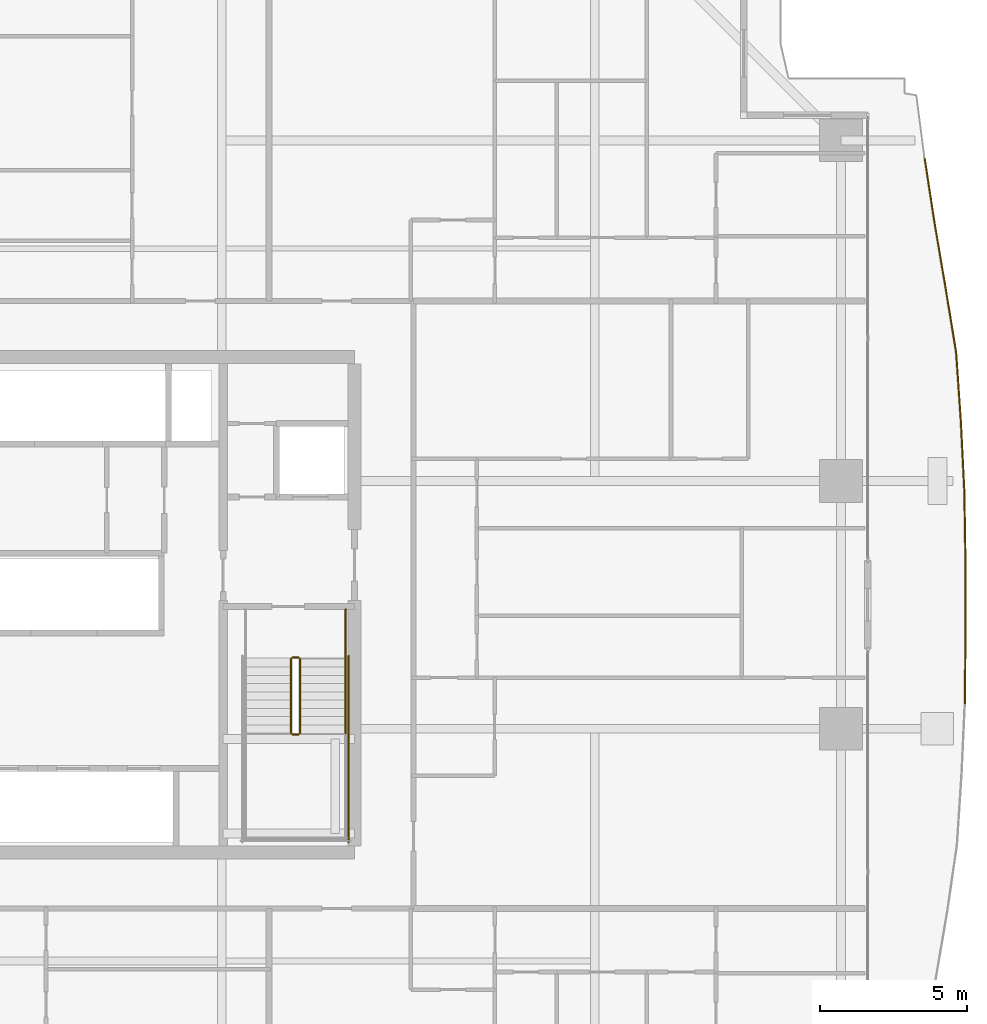
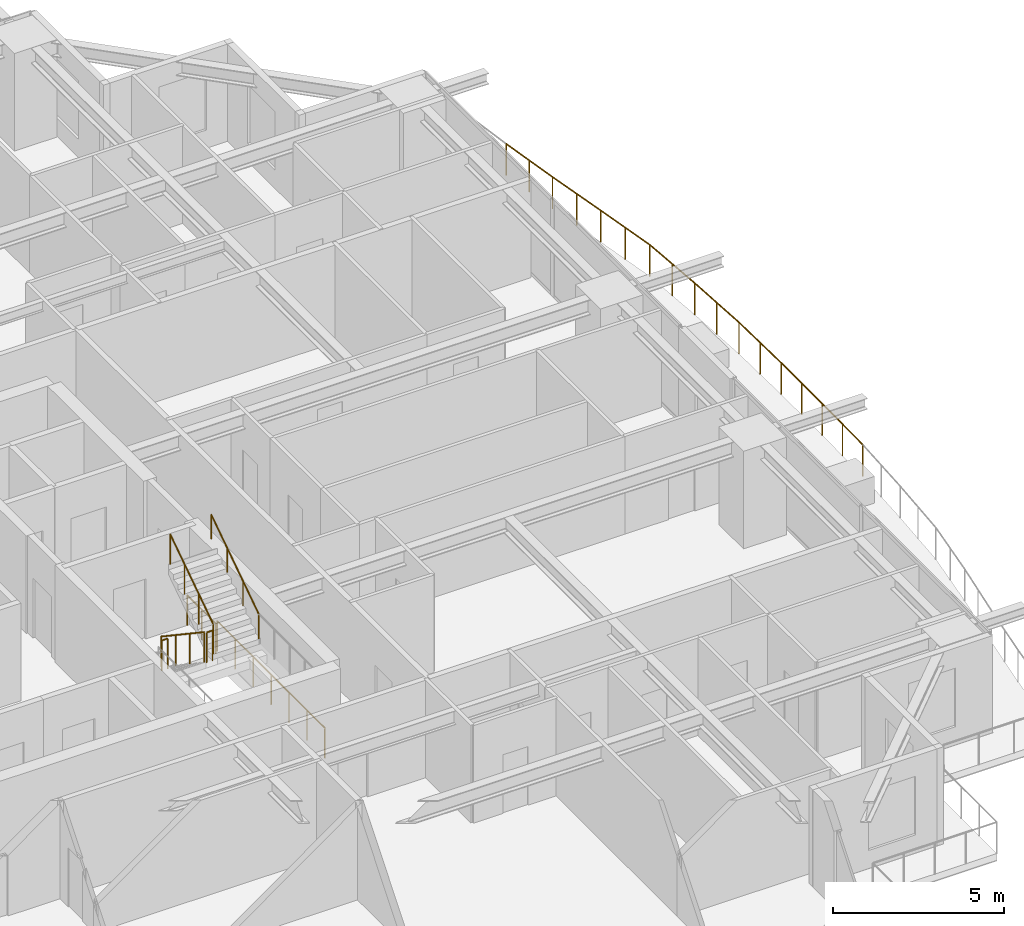
# One storey, part 36 of 37: 8 railings.
"""IFC4 building model written with IfcOpenShell, lengths in metres."""

from ifc_helpers import new_model, si_unit, direction, frame, origin, origin_2d, place, context, subcontext, project, spatial, circle, extrude, material, type_object, element, save


model = new_model("IFC4")

# Units and contexts
model_context = context("Model", 3, precision=1e-05, world=origin(), true_north=direction((0.0, 1.0)))
body_context = subcontext(model_context, "Body", "Model", "MODEL_VIEW")
ifc_project = project(units=[si_unit("LENGTHUNIT", "METRE"), si_unit("AREAUNIT", "SQUARE_METRE"), si_unit("VOLUMEUNIT", "CUBIC_METRE"), si_unit("PLANEANGLEUNIT", "RADIAN"), si_unit("MASSUNIT", "GRAM", prefix="KILO")], contexts=[model_context])

# Site, building, storey
site_placement = place(None, origin())
site = spatial("IfcSite", under=ifc_project, at=site_placement, CompositionType="ELEMENT")
building_placement = place(site_placement, origin())
building = spatial("IfcBuilding", under=site, at=building_placement, Name="Serunith Strait Residences", CompositionType="ELEMENT")
storey_placement = place(building_placement, frame((0.0, 0.0, 26.699951171875)))
storey = spatial("IfcBuildingStorey", under=building, at=storey_placement, Name="L05", CompositionType="ELEMENT", Elevation=26.699951171875)

# Railings
ifc_material_1 = material(Name="Stainless Steel & Laminated Glass Balustrade", Category="steel")
railing_type_1 = type_object("IfcRailingType", Name="RLG-BALC-1150", PredefinedType="BALUSTRADE", material=ifc_material_1)
railing_1_placement = place(storey_placement, frame((60.734375, 40.360107421875, -0.050048828125)))
element("IfcRailing", 1, at=railing_1_placement, inside=storey, type_object=railing_type_1, Name="L05 Swirling Balcony Perimeter Balustrade 5", PredefinedType="BALUSTRADE", context=body_context, shape_type="SweptSolid", body=[
    extrude(circle(Radius=0.02392578125, at=origin_2d()), frame((0.000244140625, -0.001953125, 1.1259765625), z_axis=(0.151129021549, -0.988514045851, 0.0), x_axis=(0.988514045851, 0.151129021549, 0.0)), (0.0, 0.0, 1.0), 2.17041015625),
    extrude(circle(Radius=0.02392578125, at=origin_2d()), frame((0.328857421875, -2.1513671875, 1.1259765625), z_axis=(0.166718403381, -0.986004550686, 0.0), x_axis=(0.986004550686, 0.166718403381, 0.0)), (0.0, 0.0, 1.0), 2.214599609375),
    extrude(circle(Radius=0.02392578125, at=origin_2d()), frame((0.69873046875, -4.3388671875, 1.1259765625), z_axis=(0.162069347028, -0.98677937086, 0.0), x_axis=(0.98677937086, 0.162069347028, 0.0)), (0.0, 0.0, 1.0), 2.273681640625),
    extrude(circle(Radius=0.02392578125, at=origin_2d()), frame((1.06787109375, -6.58642578125, 1.1259765625), z_axis=(0.068368362206, -0.997660146066, 0.0), x_axis=(0.997660146066, 0.068368362206, 0.0)), (0.0, 0.0, 1.0), 2.352783203125),
    extrude(circle(Radius=0.02392578125, at=origin_2d()), frame((1.228759765625, -8.937744140625, 1.1259765625), z_axis=(0.050141765794, -0.998742110519, 0.0), x_axis=(0.998742110519, 0.050141765794, 0.0)), (0.0, 0.0, 1.0), 2.3818359375),
    extrude(circle(Radius=0.02392578125, at=origin_2d()), frame((1.348388671875, -11.320556640625, 1.1259765625), z_axis=(0.015531121409, -0.99987938486, 0.0), x_axis=(0.99987938486, 0.015531121409, 0.0)), (0.0, 0.0, 1.0), 2.401123046875),
    extrude(circle(Radius=0.02392578125, at=origin_2d()), frame((1.3857421875, -13.725341796875, 1.1259765625), z_axis=(0.0, -1.0, 0.0), x_axis=(1.0, 0.0, 0.0)), (0.0, 0.0, 1.0), 2.40966796875),
    extrude(circle(Radius=0.02392578125, at=origin_2d()), frame((1.3857421875, -16.138916015625, 1.1259765625), z_axis=(-0.008518096796, -0.999963720355, 0.0), x_axis=(0.999963720355, -0.008518096796, 0.0)), (0.0, 0.0, 1.0), 2.403564453125),
    extrude(circle(Radius=0.02099609375, at=origin_2d()), origin(), (0.0, 0.0, 1.0), 1.099853515625),
    extrude(circle(Radius=0.02099609375, at=origin_2d()), frame((0.164306640625, -1.07470703125, 0.0)), (0.0, 0.0, 1.0), 1.099853515625),
    extrude(circle(Radius=0.02099609375, at=origin_2d()), frame((0.32861328125, -2.1494140625, 0.0)), (0.0, 0.0, 1.0), 1.099853515625),
    extrude(circle(Radius=0.02099609375, at=origin_2d()), frame((0.513671875, -3.2431640625, 0.0)), (0.0, 0.0, 1.0), 1.099853515625),
    extrude(circle(Radius=0.02099609375, at=origin_2d()), frame((0.698486328125, -4.3369140625, 0.0)), (0.0, 0.0, 1.0), 1.099853515625),
    extrude(circle(Radius=0.02099609375, at=origin_2d()), frame((0.883056640625, -5.460693359375, 0.0)), (0.0, 0.0, 1.0), 1.099853515625),
    extrude(circle(Radius=0.02099609375, at=origin_2d()), frame((1.067626953125, -6.58447265625, 0.0)), (0.0, 0.0, 1.0), 1.099853515625),
    extrude(circle(Radius=0.02099609375, at=origin_2d()), frame((1.148193359375, -7.76025390625, 0.0)), (0.0, 0.0, 1.0), 1.099853515625),
    extrude(circle(Radius=0.02099609375, at=origin_2d()), frame((1.228759765625, -8.935791015625, 0.0)), (0.0, 0.0, 1.0), 1.099853515625),
    extrude(circle(Radius=0.02099609375, at=origin_2d()), frame((1.28857421875, -10.127197265625, 0.0)), (0.0, 0.0, 1.0), 1.099853515625),
    extrude(circle(Radius=0.02099609375, at=origin_2d()), frame((1.348388671875, -11.318603515625, 0.0)), (0.0, 0.0, 1.0), 1.099853515625),
    extrude(circle(Radius=0.02099609375, at=origin_2d()), frame((1.3671875, -12.52099609375, 0.0)), (0.0, 0.0, 1.0), 1.099853515625),
    extrude(circle(Radius=0.02099609375, at=origin_2d()), frame((1.3857421875, -13.723388671875, 0.0)), (0.0, 0.0, 1.0), 1.099853515625),
    extrude(circle(Radius=0.02099609375, at=origin_2d()), frame((1.3857421875, -14.93017578125, 0.0)), (0.0, 0.0, 1.0), 1.099853515625),
    extrude(circle(Radius=0.02099609375, at=origin_2d()), frame((1.3857421875, -16.136962890625, 0.0)), (0.0, 0.0, 1.0), 1.099853515625),
    extrude(circle(Radius=0.02099609375, at=origin_2d()), frame((1.37548828125, -17.3408203125, 0.0)), (0.0, 0.0, 1.0), 1.099853515625),
    extrude(circle(Radius=0.02099609375, at=origin_2d()), frame((1.365234375, -18.54443359375, 0.0)), (0.0, 0.0, 1.0), 1.099853515625),
])
ifc_material_2 = material(Name="Brushed stainless steel 316L", Category="steel")
railing_type_2 = type_object("IfcRailingType", Name="RLG-STAIR-GUARD", PredefinedType="BALUSTRADE", material=ifc_material_2)
railing_2_placement = place(storey_placement, frame((39.25, 23.3701171875, 0.1875)))
element("IfcRailing", 2, at=railing_2_placement, inside=storey, type_object=railing_type_2, Name="L05 ST-2 stair guard 1", PredefinedType="BALUSTRADE", context=body_context, shape_type="SweptSolid", body=[
    extrude(circle(Radius=0.02392578125, at=origin_2d()), frame((0.0, -0.001708984375, 1.0771484375), z_axis=(0.0, -0.830909170722, 0.55640807867), x_axis=(1.0, 0.0, 0.0)), (0.0, 0.0, 1.0), 3.02880859375),
    extrude(circle(Radius=0.02099609375, at=origin_2d()), origin(), (0.0, 0.0, 1.0), 1.050048828125),
    extrude(circle(Radius=0.02099609375, at=origin_2d()), frame((0.0, -0.840087890625, 0.5625)), (0.0, 0.0, 1.0), 1.050048828125),
    extrude(circle(Radius=0.02099609375, at=origin_2d()), frame((0.0, -1.679931640625, 1.125)), (0.0, 0.0, 1.0), 1.050048828125),
    extrude(circle(Radius=0.02099609375, at=origin_2d()), frame((0.0, -2.52001953125, 1.6875)), (0.0, 0.0, 1.0), 1.050048828125),
])
railing_3_placement = place(storey_placement, frame((39.300048828125, 20.800048828125, 1.875)))
element("IfcRailing", 3, at=railing_3_placement, inside=storey, type_object=railing_type_2, Name="L05 ST-2 stair guard 2", PredefinedType="BALUSTRADE", context=body_context, shape_type="SweptSolid", body=[
    extrude(circle(Radius=0.02392578125, at=origin_2d()), frame((0.001953125, 0.0, 1.076171875), z_axis=(1.0, 0.0, 0.0), x_axis=(0.0, 1.0, 0.0)), (0.0, 0.0, 1.0), 0.196044921875),
    extrude(circle(Radius=0.02099609375, at=origin_2d()), origin(), (0.0, 0.0, 1.0), 1.050048828125),
    extrude(circle(Radius=0.02099609375, at=origin_2d()), frame((0.199951171875, 0.0, 0.0)), (0.0, 0.0, 1.0), 1.050048828125),
])
railing_4_placement = place(storey_placement, frame((39.550048828125, 20.85009765625, 2.0625)))
element("IfcRailing", 4, at=railing_4_placement, inside=storey, type_object=railing_type_2, Name="L05 ST-2 stair guard 6", PredefinedType="BALUSTRADE", context=body_context, shape_type="SweptSolid", body=[
    extrude(circle(Radius=0.02392578125, at=origin_2d()), frame((0.0, 0.001708984375, 1.0771484375), z_axis=(0.0, 0.830909170722, 0.55640807867), x_axis=(-1.0, 0.0, 0.0)), (0.0, 0.0, 1.0), 3.02880859375),
    extrude(circle(Radius=0.02099609375, at=origin_2d()), origin(), (0.0, 0.0, 1.0), 1.050048828125),
    extrude(circle(Radius=0.02099609375, at=origin_2d()), frame((0.0, 0.840087890625, 0.5625)), (0.0, 0.0, 1.0), 1.050048828125),
    extrude(circle(Radius=0.02099609375, at=origin_2d()), frame((0.0, 1.679931640625, 1.125)), (0.0, 0.0, 1.0), 1.050048828125),
    extrude(circle(Radius=0.02099609375, at=origin_2d()), frame((0.0, 2.52001953125, 1.6875)), (0.0, 0.0, 1.0), 1.050048828125),
])
railing_5_placement = place(storey_placement, frame((39.300048828125, 23.419921875, 0.0)))
element("IfcRailing", 5, at=railing_5_placement, inside=storey, type_object=railing_type_2, Name="L05 ST-2 stair guard 7", PredefinedType="BALUSTRADE", context=body_context, shape_type="SweptSolid", body=[
    extrude(circle(Radius=0.02392578125, at=origin_2d()), frame((0.001953125, 0.0, 1.076171875), z_axis=(1.0, 0.0, 0.0), x_axis=(0.0, 1.0, 0.0)), (0.0, 0.0, 1.0), 0.196044921875),
    extrude(circle(Radius=0.02099609375, at=origin_2d()), origin(), (0.0, 0.0, 1.0), 1.050048828125),
    extrude(circle(Radius=0.02099609375, at=origin_2d()), frame((0.199951171875, 0.0, 0.0)), (0.0, 0.0, 1.0), 1.050048828125),
])
railing_6_placement = place(storey_placement, frame((41.10009765625, 25.050048828125, 0.0)))
element("IfcRailing", 6, at=railing_6_placement, inside=storey, type_object=railing_type_2, Name="L05 ST-2 stair guard 9", PredefinedType="BALUSTRADE", context=body_context, shape_type="SweptSolid", body=[
    extrude(circle(Radius=0.02392578125, at=origin_2d()), frame((0.0, -0.001953125, 1.076171875), z_axis=(0.0, -1.0, 0.0), x_axis=(1.0, 0.0, 0.0)), (0.0, 0.0, 1.0), 1.676025390625),
    extrude(circle(Radius=0.02099609375, at=origin_2d()), origin(), (0.0, 0.0, 1.0), 1.050048828125),
    extrude(circle(Radius=0.02099609375, at=origin_2d()), frame((0.0, -0.83984375, 0.0)), (0.0, 0.0, 1.0), 1.050048828125),
    extrude(circle(Radius=0.02099609375, at=origin_2d()), frame((0.0, -1.679931640625, 0.0)), (0.0, 0.0, 1.0), 1.050048828125),
])
railing_7_placement = place(storey_placement, frame((41.199951171875, 23.469970703125, 0.0)))
element("IfcRailing", 7, at=railing_7_placement, inside=storey, type_object=railing_type_2, Name="L05 ST-2 stair guard 11", PredefinedType="BALUSTRADE", context=body_context, shape_type="SweptSolid", body=[
    extrude(circle(Radius=0.02392578125, at=origin_2d()), frame((0.0, -0.001953125, 1.076171875), z_axis=(0.0, -1.0, 0.0), x_axis=(1.0, 0.0, 0.0)), (0.0, 0.0, 1.0), 6.316162109375),
    extrude(circle(Radius=0.02099609375, at=origin_2d()), origin(), (0.0, 0.0, 1.0), 1.050048828125),
    extrude(circle(Radius=0.02099609375, at=origin_2d()), frame((0.0, -1.05322265625, 0.0)), (0.0, 0.0, 1.0), 1.050048828125),
    extrude(circle(Radius=0.02099609375, at=origin_2d()), frame((0.0, -2.106689453125, 0.0)), (0.0, 0.0, 1.0), 1.050048828125),
    extrude(circle(Radius=0.02099609375, at=origin_2d()), frame((0.0, -3.16015625, 0.0)), (0.0, 0.0, 1.0), 1.050048828125),
    extrude(circle(Radius=0.02099609375, at=origin_2d()), frame((0.0, -4.21337890625, 0.0)), (0.0, 0.0, 1.0), 1.050048828125),
    extrude(circle(Radius=0.02099609375, at=origin_2d()), frame((0.0, -5.2666015625, 0.0)), (0.0, 0.0, 1.0), 1.050048828125),
    extrude(circle(Radius=0.02099609375, at=origin_2d()), frame((0.0, -6.320068359375, 0.0)), (0.0, 0.0, 1.0), 1.050048828125),
])
railing_type_3 = type_object("IfcRailingType", Name="RLG-STAIR-HR", PredefinedType="HANDRAIL", material=ifc_material_2)
railing_8_placement = place(storey_placement, frame((41.10009765625, 20.85009765625, 2.0625)))
element("IfcRailing", 8, at=railing_8_placement, inside=storey, type_object=railing_type_3, Name="L05 ST-2 stair handrail 2", PredefinedType="HANDRAIL", context=body_context, shape_type="SweptSolid", body=[
    extrude(circle(Radius=0.02392578125, at=origin_2d()), frame((0.0, 0.001708984375, 0.876953125), z_axis=(0.0, 0.830185712471, 0.557486935101), x_axis=(-1.0, 0.0, 0.0)), (0.0, 0.0, 1.0), 3.368408203125),
    extrude(circle(Radius=0.02099609375, at=origin_2d()), origin(), (0.0, 0.0, 1.0), 0.849853515625),
    extrude(circle(Radius=0.02099609375, at=origin_2d()), frame((0.0, 0.933349609375, 0.626708984375)), (0.0, 0.0, 1.0), 0.849853515625),
    extrude(circle(Radius=0.02099609375, at=origin_2d()), frame((0.0, 1.866455078125, 1.25341796875)), (0.0, 0.0, 1.0), 0.849853515625),
    extrude(circle(Radius=0.02099609375, at=origin_2d()), frame((0.0, 2.7998046875, 1.880126953125)), (0.0, 0.0, 1.0), 0.849853515625),
])

save(model, "model.ifc")
